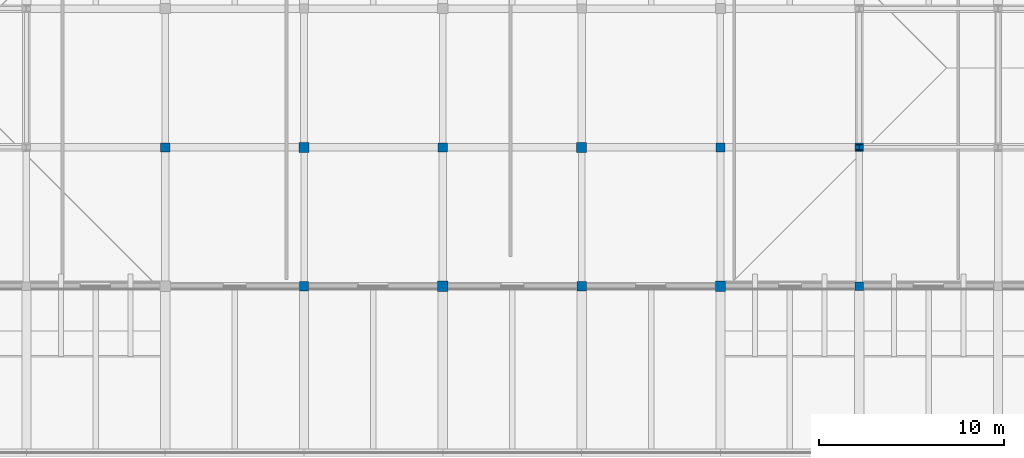
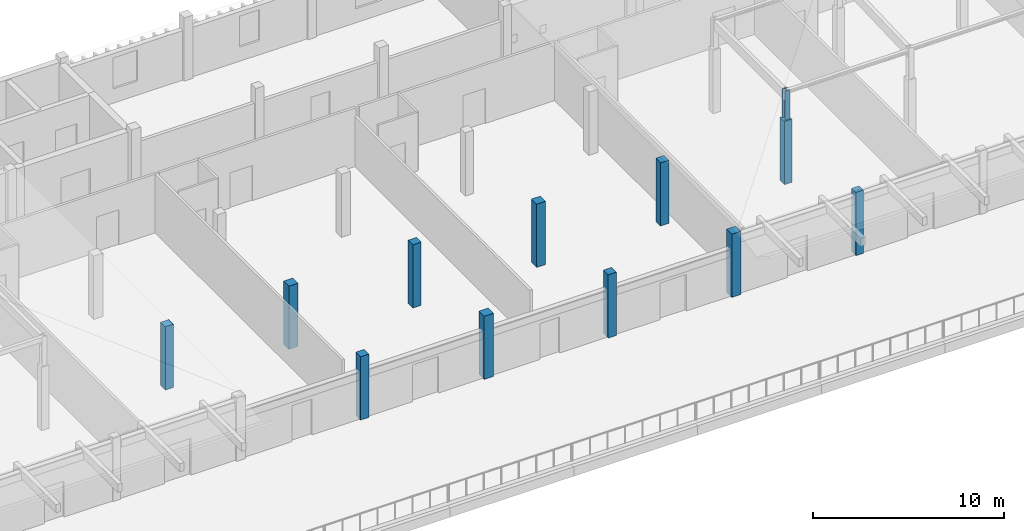
# One storey, part 6 of 48: 12 columns.
"""IFC4 building model written with IfcOpenShell, lengths in metres."""

from ifc_helpers import new_model, si_unit, direction, frame, origin, origin_2d, place, context, subcontext, project, spatial, rectangle, i_section, extrude, material, material_profile, profile_set, type_object, element, save


model = new_model("IFC4")

# Units and contexts
model_context = context("Model", 3, precision=1e-05, world=origin(), true_north=direction((0.0, 1.0)))
body_context = subcontext(model_context, "Body", "Model", "MODEL_VIEW")
ifc_project = project(units=[si_unit("LENGTHUNIT", "METRE"), si_unit("AREAUNIT", "SQUARE_METRE"), si_unit("VOLUMEUNIT", "CUBIC_METRE"), si_unit("PLANEANGLEUNIT", "RADIAN"), si_unit("MASSUNIT", "GRAM", prefix="KILO")], contexts=[model_context])

# Site, building, storey
site_placement = place(None, origin())
site = spatial("IfcSite", under=ifc_project, at=site_placement, CompositionType="ELEMENT")
building_placement = place(site_placement, origin())
building = spatial("IfcBuilding", under=site, at=building_placement, Name="Dalvernix Boulevard General Hospital", CompositionType="ELEMENT")
storey_placement = place(building_placement, frame((0.0, 0.0, 17.85009765625)))
storey = spatial("IfcBuildingStorey", under=building, at=storey_placement, Name="L04", CompositionType="ELEMENT", Elevation=17.85009765625)

# Columns
ifc_material_1 = material(Name="Concrete C40/50", Category="concrete")
ifc_material_profile_1 = material_profile(ifc_material_1, rectangle(XDim=0.550048828125, YDim=0.550048828125, at=origin_2d()), Name="RC 550x550")
ifc_profile_set_1 = profile_set([ifc_material_profile_1], Name="Concrete C40/50")
column_type_1 = type_object("IfcColumnType", Name="COL-C-08-E", PredefinedType="COLUMN", material=ifc_profile_set_1)
for number, where, z_axis, x_axis, name in (
    (1, (82.5, 85.5, 0.0), (0.0, 0.0, 1.0), (1.0, 0.0, 0.0), "L04 column 12M"),
    (2, (97.5, 85.5, 0.0), (0.0, 0.0, 1.0), (1.0, 0.0, 0.0), "L04 column 14M"),
):
    element("IfcColumn", number, at=place(storey_placement, frame(where, z_axis=z_axis, x_axis=x_axis)), inside=storey, type_object=column_type_1, Name=name, PredefinedType="COLUMN", context=body_context, shape_type="SweptSolid", body=[
        extrude(rectangle(XDim=0.550048828125, YDim=0.550048828125, at=origin_2d()), origin(), (0.0, 0.0, 1.0), 4.0498046875),
    ])
ifc_material_profile_2 = material_profile(ifc_material_1, rectangle(XDim=0.550048828125, YDim=0.550048828125, at=origin_2d()), Name="RC 550x550")
ifc_profile_set_2 = profile_set([ifc_material_profile_2], Name="Concrete C40/50")
column_type_2 = type_object("IfcColumnType", Name="COL-C-08-I", PredefinedType="COLUMN", material=ifc_profile_set_2)
for number, where, z_axis, x_axis, name in (
    (3, (75.0, 93.0, 0.0), (0.0, 0.0, 1.0), (1.0, 0.0, 0.0), "L04 column 11N"),
    (4, (90.0, 93.0, 0.0), (0.0, 0.0, 1.0), (1.0, 0.0, 0.0), "L04 column 13N"),
):
    element("IfcColumn", number, at=place(storey_placement, frame(where, z_axis=z_axis, x_axis=x_axis)), inside=storey, type_object=column_type_2, Name=name, PredefinedType="COLUMN", context=body_context, shape_type="SweptSolid", body=[
        extrude(rectangle(XDim=0.550048828125, YDim=0.550048828125, at=origin_2d()), origin(), (0.0, 0.0, 1.0), 4.0498046875),
    ])
ifc_material_profile_3 = material_profile(ifc_material_1, rectangle(XDim=0.5, YDim=0.5, at=origin_2d()), Name="RC 500x500")
ifc_profile_set_3 = profile_set([ifc_material_profile_3], Name="Concrete C40/50")
column_type_3 = type_object("IfcColumnType", Name="COL-C-09-E", PredefinedType="COLUMN", material=ifc_profile_set_3)
for number, where, z_axis, x_axis, name in (
    (5, (75.0, 85.5, 0.0), (0.0, 0.0, 1.0), (1.0, 0.0, 0.0), "L04 column 11M"),
    (6, (90.0, 85.5, 0.0), (0.0, 0.0, 1.0), (1.0, 0.0, 0.0), "L04 column 13M"),
):
    element("IfcColumn", number, at=place(storey_placement, frame(where, z_axis=z_axis, x_axis=x_axis)), inside=storey, type_object=column_type_3, Name=name, PredefinedType="COLUMN", context=body_context, shape_type="SweptSolid", body=[
        extrude(rectangle(XDim=0.5, YDim=0.5, at=origin_2d()), origin(), (0.0, 0.0, 1.0), 4.0498046875),
    ])
ifc_material_profile_4 = material_profile(ifc_material_1, rectangle(XDim=0.5, YDim=0.5, at=origin_2d()), Name="RC 500x500")
ifc_profile_set_4 = profile_set([ifc_material_profile_4], Name="Concrete C40/50")
column_type_4 = type_object("IfcColumnType", Name="COL-C-09-I", PredefinedType="COLUMN", material=ifc_profile_set_4)
for number, where, z_axis, x_axis, name in (
    (7, (67.5, 93.0, 0.0), (0.0, 0.0, 1.0), (1.0, 0.0, 0.0), "L04 column 10N"),
    (8, (82.5, 93.0, 0.0), (0.0, 0.0, 1.0), (1.0, 0.0, 0.0), "L04 column 12N"),
    (9, (97.5, 93.0, 0.0), (0.0, 0.0, 1.0), (1.0, 0.0, 0.0), "L04 column 14N"),
):
    element("IfcColumn", number, at=place(storey_placement, frame(where, z_axis=z_axis, x_axis=x_axis)), inside=storey, type_object=column_type_4, Name=name, PredefinedType="COLUMN", context=body_context, shape_type="SweptSolid", body=[
        extrude(rectangle(XDim=0.5, YDim=0.5, at=origin_2d()), origin(), (0.0, 0.0, 1.0), 4.0498046875),
    ])
ifc_material_profile_5 = material_profile(ifc_material_1, rectangle(XDim=0.449951171875, YDim=0.449951171875, at=origin_2d()), Name="RC 450x450")
ifc_profile_set_5 = profile_set([ifc_material_profile_5], Name="Concrete C40/50")
column_type_5 = type_object("IfcColumnType", Name="COL-C-10-E", PredefinedType="COLUMN", material=ifc_profile_set_5)
column_1_placement = place(storey_placement, frame((105.0, 85.5, 0.0), z_axis=(0.0, 0.0, 1.0), x_axis=(1.0, 0.0, 0.0)))
element("IfcColumn", 10, at=column_1_placement, inside=storey, type_object=column_type_5, Name="L04 column 15M", PredefinedType="COLUMN", context=body_context, shape_type="SweptSolid", body=[
    extrude(rectangle(XDim=0.449951171875, YDim=0.449951171875, at=origin_2d()), origin(), (0.0, 0.0, 1.0), 4.0498046875),
])
ifc_material_profile_6 = material_profile(ifc_material_1, rectangle(XDim=0.449951171875, YDim=0.449951171875, at=origin_2d()), Name="RC 450x450")
ifc_profile_set_6 = profile_set([ifc_material_profile_6], Name="Concrete C40/50")
column_type_6 = type_object("IfcColumnType", Name="COL-C-10-I", PredefinedType="COLUMN", material=ifc_profile_set_6)
column_2_placement = place(storey_placement, frame((105.0, 93.0, 0.0), z_axis=(0.0, 0.0, 1.0), x_axis=(1.0, 0.0, 0.0)))
element("IfcColumn", 11, at=column_2_placement, inside=storey, type_object=column_type_6, Name="L04 column 15N", PredefinedType="COLUMN", context=body_context, shape_type="SweptSolid", body=[
    extrude(rectangle(XDim=0.449951171875, YDim=0.449951171875, at=origin_2d()), origin(), (0.0, 0.0, 1.0), 4.0498046875),
])
ifc_material_2 = material(Name="Steel S355", Category="steel")
ifc_material_profile_7 = material_profile(ifc_material_2, i_section(OverallWidth=0.300048828125, OverallDepth=0.300048828125, WebThickness=0.010986328125, FlangeThickness=0.01904296875, FilletRadius=0.027099609375, at=origin_2d()), Name="HEB 300")
ifc_profile_set_7 = profile_set([ifc_material_profile_7], Name="Steel S355")
column_type_7 = type_object("IfcColumnType", Name="COL-C-18", PredefinedType="COLUMN", material=ifc_profile_set_7)
column_3_placement = place(storey_placement, frame((105.0, 93.0, 4.0498046875), z_axis=(0.0, 0.0, 1.0), x_axis=(1.0, 0.0, 0.0)))
element("IfcColumn", 12, at=column_3_placement, inside=storey, type_object=column_type_7, Name="V3E roof king post 15N", PredefinedType="COLUMN", context=body_context, shape_type="SweptSolid", body=[
    extrude(i_section(OverallWidth=0.300048828125, OverallDepth=0.300048828125, WebThickness=0.010986328125, FlangeThickness=0.01904296875, FilletRadius=0.027099609375, at=origin_2d()), origin(), (0.0, 0.0, 1.0), 1.871826171875),
])

save(model, "model.ifc")
